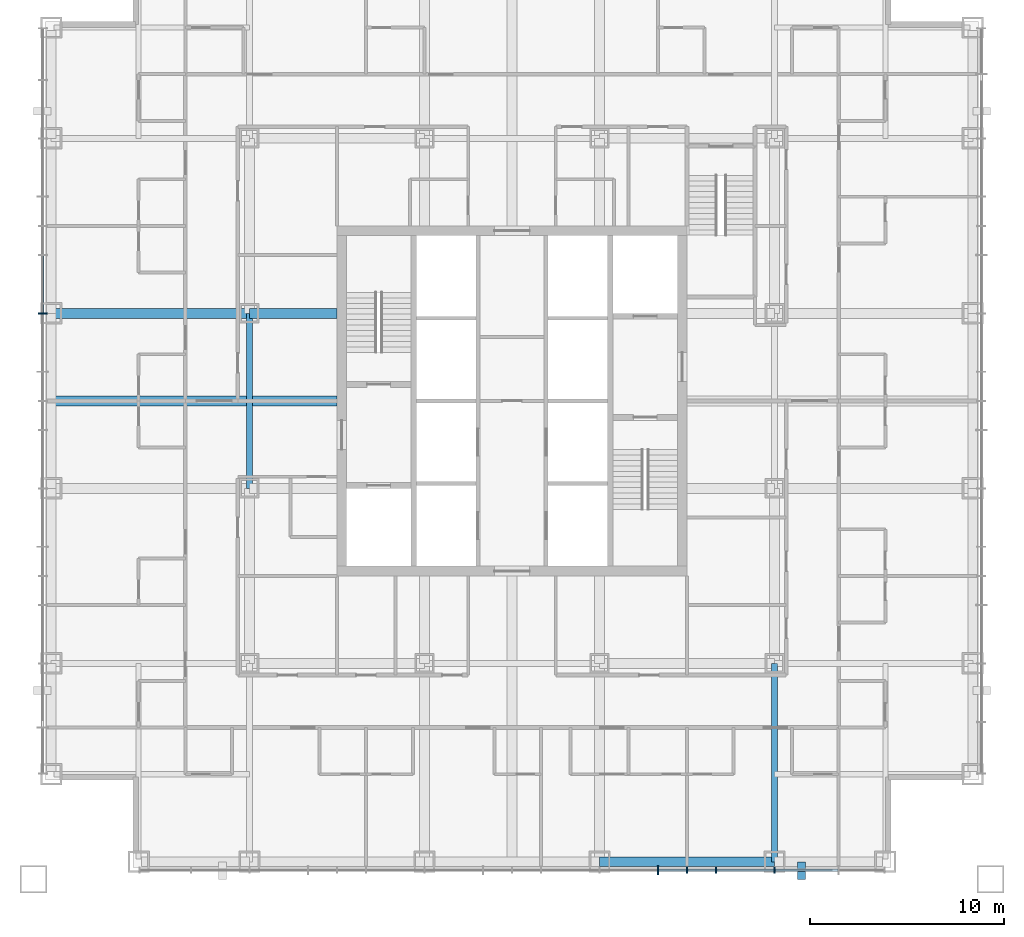
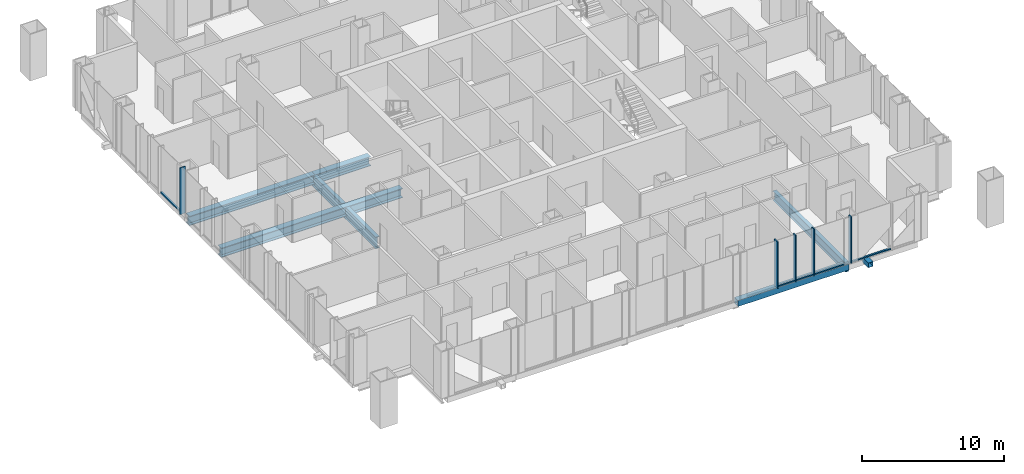
# One storey, part 3 of 18: 11 members, 6 beams, 2 elements without a shape of their own.
"""IFC4 building model written with IfcOpenShell, lengths in metres."""

from ifc_helpers import new_model, si_unit, direction, frame, origin, origin_2d, place, context, subcontext, project, spatial, rectangle, hollow_rectangle, i_section, extrude, material, layer, layer_set, material_profile, profile_set, type_object, element, aggregate, save


model = new_model("IFC4")

# Units and contexts
model_context = context("Model", 3, precision=1e-05, world=origin(), true_north=direction((0.0, 1.0)))
body_context = subcontext(model_context, "Body", "Model", "MODEL_VIEW")
ifc_project = project(units=[si_unit("LENGTHUNIT", "METRE"), si_unit("AREAUNIT", "SQUARE_METRE"), si_unit("VOLUMEUNIT", "CUBIC_METRE"), si_unit("PLANEANGLEUNIT", "RADIAN"), si_unit("MASSUNIT", "GRAM", prefix="KILO")], contexts=[model_context])

# Site, building, storey
site_placement = place(None, origin())
site = spatial("IfcSite", under=ifc_project, at=site_placement, CompositionType="ELEMENT")
building_placement = place(site_placement, origin())
building = spatial("IfcBuilding", under=site, at=building_placement, Name="Malebo Sky Hospital", CompositionType="ELEMENT")
storey_placement = place(building_placement, frame((0.0, 0.0, 132.0)))
storey = spatial("IfcBuildingStorey", under=building, at=storey_placement, Name="L31", CompositionType="ELEMENT", Elevation=132.0)

# Curtain wall, member
ifc_material_1 = material(Name="Anodised aluminium, natural silver", Category="aluminium")
ifc_layer_1 = layer(ifc_material_1, 0.25)
ifc_layer_set_1 = layer_set([ifc_layer_1], Name="WARD CURTAIN WALL EAST AND WEST")
curtain_wall_type_1 = type_object("IfcCurtainWallType", Name="WARD CURTAIN WALL EAST AND WEST", PredefinedType="NOTDEFINED", material=ifc_layer_set_1)
curtain_wall_1_placement = place(storey_placement, origin())
curtain_wall_1 = element("IfcCurtainWall", 1, at=curtain_wall_1_placement, inside=storey, type_object=curtain_wall_type_1, Name="EW curtain wall W", PredefinedType="NOTDEFINED")
ifc_material_profile_1 = material_profile(ifc_material_1, rectangle(XDim=0.14990234375, YDim=0.10009765625, at=origin_2d()), Name="ALUMINIUM TRANSOM 150x100")
ifc_profile_set_1 = profile_set([ifc_material_profile_1], Name="Anodised aluminium, natural silver")
member_type_1 = type_object("IfcMemberType", Name="ALUMINIUM TRANSOM 150x100", PredefinedType="USERDEFINED", material=ifc_profile_set_1)
member_1_placement = place(storey_placement, frame((35.864990234375, 66.53759765625, 0.050048828125), z_axis=(0.0, 1.0, 0.0), x_axis=(-1.0, 0.0, 0.0)))
member_1 = element("IfcMember", 2, at=member_1_placement, type_object=member_type_1, Name="Transom 11", ObjectType="TRANSOM", PredefinedType="USERDEFINED", context=body_context, shape_type="SweptSolid", body=[
    extrude(rectangle(XDim=0.14990234375, YDim=0.10009765625, at=origin_2d()), origin(), (0.0, 0.0, 1.0), 2.9248046875),
])

# Curtain wall, members
ifc_layer_2 = layer(ifc_material_1, 0.25)
ifc_layer_set_2 = layer_set([ifc_layer_2], Name="WARD CURTAIN WALL NORTH AND SOUTH")
curtain_wall_type_2 = type_object("IfcCurtainWallType", Name="WARD CURTAIN WALL NORTH AND SOUTH", PredefinedType="NOTDEFINED", material=ifc_layer_set_2)
curtain_wall_2_placement = place(storey_placement, origin())
curtain_wall_2 = element("IfcCurtainWall", 3, at=curtain_wall_2_placement, inside=storey, type_object=curtain_wall_type_2, Name="NS curtain wall S", PredefinedType="NOTDEFINED")
member_2_placement = place(storey_placement, frame((76.762451171875, 37.864990234375, 0.050048828125), z_axis=(-1.0, 0.0, 0.0), x_axis=(0.0, -1.0, 0.0)))
member_2 = element("IfcMember", 4, at=member_2_placement, type_object=member_type_1, Name="Transom 2", ObjectType="TRANSOM", PredefinedType="USERDEFINED", context=body_context, shape_type="SweptSolid", body=[
    extrude(rectangle(XDim=0.14990234375, YDim=0.10009765625, at=origin_2d()), origin(), (0.0, 0.0, 1.0), 3.224853515625),
])
member_3_placement = place(storey_placement, frame((73.46240234375, 37.864990234375, 0.050048828125), z_axis=(-1.0, 0.0, 0.0), x_axis=(0.0, -1.0, 0.0)))
member_3 = element("IfcMember", 5, at=member_3_placement, type_object=member_type_1, Name="Transom 3", ObjectType="TRANSOM", PredefinedType="USERDEFINED", context=body_context, shape_type="SweptSolid", body=[
    extrude(rectangle(XDim=0.14990234375, YDim=0.10009765625, at=origin_2d()), origin(), (0.0, 0.0, 1.0), 2.9248046875),
])
member_4_placement = place(storey_placement, frame((70.46240234375, 37.864990234375, 0.050048828125), z_axis=(-1.0, 0.0, 0.0), x_axis=(0.0, -1.0, 0.0)))
member_4 = element("IfcMember", 6, at=member_4_placement, type_object=member_type_1, Name="Transom 4", ObjectType="TRANSOM", PredefinedType="USERDEFINED", context=body_context, shape_type="SweptSolid", body=[
    extrude(rectangle(XDim=0.14990234375, YDim=0.10009765625, at=origin_2d()), origin(), (0.0, 0.0, 1.0), 1.4248046875),
])
member_5_placement = place(storey_placement, frame((68.96240234375, 37.864990234375, 0.050048828125), z_axis=(-1.0, 0.0, 0.0), x_axis=(0.0, -1.0, 0.0)))
member_5 = element("IfcMember", 7, at=member_5_placement, type_object=member_type_1, Name="Transom 5", ObjectType="TRANSOM", PredefinedType="USERDEFINED", context=body_context, shape_type="SweptSolid", body=[
    extrude(rectangle(XDim=0.14990234375, YDim=0.10009765625, at=origin_2d()), origin(), (0.0, 0.0, 1.0), 1.4248046875),
])

# Member
ifc_material_2 = material(Name="Steel S355", Category="steel")
ifc_material_profile_2 = material_profile(ifc_material_2, hollow_rectangle(XDim=0.39990234375, YDim=0.39990234375, WallThickness=0.02001953125, at=origin_2d()), Name="SHS 400x20")
ifc_profile_set_2 = profile_set([ifc_material_profile_2], Name="Steel S355")
member_type_2 = type_object("IfcMemberType", Name="BRACE STRUT SHS 400x20", PredefinedType="STRUT", material=ifc_profile_set_2)
member_6_placement = place(storey_placement, frame((74.8935546875, 37.39990234375, -0.39990234375), z_axis=(0.0, 1.0, 0.0), x_axis=(-1.0, 0.0, 0.0)))
element("IfcMember", 8, at=member_6_placement, inside=storey, type_object=member_type_2, Name="Brace strut BS1 L31", PredefinedType="STRUT", context=body_context, shape_type="SweptSolid", body=[
    extrude(hollow_rectangle(XDim=0.39990234375, YDim=0.39990234375, WallThickness=0.02001953125, at=origin_2d()), origin(), (0.0, 0.0, 1.0), 0.900146484375),
])

ifc_material_profile_3 = material_profile(ifc_material_1, rectangle(XDim=0.074951171875, YDim=0.300048828125, at=origin_2d()), Name="CW1 ALUMINIUM FIN MULLION 75x300")
ifc_profile_set_3 = profile_set([ifc_material_profile_3], Name="Anodised aluminium, natural silver")
member_type_3 = type_object("IfcMemberType", Name="CW1 ALUMINIUM FIN MULLION 75x300", PredefinedType="MULLION", material=ifc_profile_set_3)
member_7_placement = place(storey_placement, frame((73.5, 37.864990234375, 0.0), z_axis=(0.0, 0.0, 1.0), x_axis=(-1.0, 0.0, 0.0)))
member_7 = element("IfcMember", 9, at=member_7_placement, type_object=member_type_3, Name="Fin mullion 3", PredefinedType="MULLION", context=body_context, shape_type="SweptSolid", body=[
    extrude(rectangle(XDim=0.074951171875, YDim=0.300048828125, at=origin_2d()), origin(), (0.0, 0.0, 1.0), 4.0),
])

member_8_placement = place(storey_placement, frame((70.5, 37.864990234375, 0.0), z_axis=(0.0, 0.0, 1.0), x_axis=(-1.0, 0.0, 0.0)))
member_8 = element("IfcMember", 10, at=member_8_placement, type_object=member_type_3, Name="Fin mullion 4", PredefinedType="MULLION", context=body_context, shape_type="SweptSolid", body=[
    extrude(rectangle(XDim=0.074951171875, YDim=0.300048828125, at=origin_2d()), origin(), (0.0, 0.0, 1.0), 4.0),
])

member_9_placement = place(storey_placement, frame((69.0, 37.864990234375, 0.0), z_axis=(0.0, 0.0, 1.0), x_axis=(-1.0, 0.0, 0.0)))
member_9 = element("IfcMember", 11, at=member_9_placement, type_object=member_type_3, Name="Fin mullion 5", PredefinedType="MULLION", context=body_context, shape_type="SweptSolid", body=[
    extrude(rectangle(XDim=0.074951171875, YDim=0.300048828125, at=origin_2d()), origin(), (0.0, 0.0, 1.0), 4.0),
])

ifc_material_profile_4 = material_profile(ifc_material_1, rectangle(XDim=0.074951171875, YDim=0.449951171875, at=origin_2d()), Name="CW1 ALUMINIUM FIN MULLION 75x450")
ifc_profile_set_4 = profile_set([ifc_material_profile_4], Name="Anodised aluminium, natural silver")
member_type_4 = type_object("IfcMemberType", Name="CW1 ALUMINIUM FIN MULLION 75x450", PredefinedType="MULLION", material=ifc_profile_set_4)
member_10_placement = place(storey_placement, frame((67.5, 37.864990234375, 0.0), z_axis=(0.0, 0.0, 1.0), x_axis=(-1.0, 0.0, 0.0)))
member_10 = element("IfcMember", 12, at=member_10_placement, type_object=member_type_4, Name="Fin mullion 6", PredefinedType="MULLION", context=body_context, shape_type="SweptSolid", body=[
    extrude(rectangle(XDim=0.074951171875, YDim=0.449951171875, at=origin_2d()), origin(), (0.0, 0.0, 1.0), 4.0),
])

aggregate(curtain_wall_2, [member_7, member_8, member_9, member_10, member_2, member_3, member_4, member_5])

ifc_material_profile_5 = material_profile(ifc_material_1, rectangle(XDim=0.074951171875, YDim=0.449951171875, at=origin_2d()), Name="CW2 ALUMINIUM FIN MULLION 75x450")
ifc_profile_set_5 = profile_set([ifc_material_profile_5], Name="Anodised aluminium, natural silver")
member_type_5 = type_object("IfcMemberType", Name="CW2 ALUMINIUM FIN MULLION 75x450", PredefinedType="MULLION", material=ifc_profile_set_5)
member_11_placement = place(storey_placement, frame((35.864990234375, 66.5, 0.0), z_axis=(0.0, 0.0, 1.0), x_axis=(0.0, 1.0, 0.0)))
member_11 = element("IfcMember", 13, at=member_11_placement, type_object=member_type_5, Name="Fin mullion 11", PredefinedType="MULLION", context=body_context, shape_type="SweptSolid", body=[
    extrude(rectangle(XDim=0.074951171875, YDim=0.449951171875, at=origin_2d()), origin(), (0.0, 0.0, 1.0), 4.0),
])

aggregate(curtain_wall_1, [member_11, member_1])

# Beams
ifc_material_3 = material(Name="Steel S460", Category="steel")
ifc_material_profile_6 = material_profile(ifc_material_3, hollow_rectangle(XDim=0.5, YDim=0.5, WallThickness=0.030029296875, at=origin_2d()), Name="BOX 500x500x30")
ifc_profile_set_6 = profile_set([ifc_material_profile_6], Name="Steel S460")
beam_type_1 = type_object("IfcBeamType", Name="EDGE BEAM BOX 500x500x30", PredefinedType="BEAM", material=ifc_profile_set_6)
beam_1_placement = place(storey_placement, frame((64.5, 38.300048828125, -0.5), z_axis=(1.0, 0.0, 0.0), x_axis=(0.0, 1.0, 0.0)))
element("IfcBeam", 14, at=beam_1_placement, inside=storey, type_object=beam_type_1, Name="Beam 037 L31", PredefinedType="BEAM", context=body_context, shape_type="SweptSolid", body=[
    extrude(hollow_rectangle(XDim=0.5, YDim=0.5, WallThickness=0.030029296875, at=origin_2d()), origin(), (0.0, 0.0, 1.0), 9.0),
])
ifc_material_profile_7 = material_profile(ifc_material_2, i_section(OverallWidth=0.5, OverallDepth=0.800048828125, WebThickness=0.030029296875, FlangeThickness=0.050048828125, at=origin_2d()), Name="PG 800x500x30x50")
ifc_profile_set_7 = profile_set([ifc_material_profile_7], Name="Steel S355")
beam_type_2 = type_object("IfcBeamType", Name="FLOOR BEAM PG 800x500x30x50", PredefinedType="BEAM", material=ifc_profile_set_7)
beam_2_placement = place(storey_placement, frame((36.300048828125, 62.0, -0.64990234375), z_axis=(1.0, 0.0, 0.0), x_axis=(0.0, 1.0, 0.0)))
element("IfcBeam", 15, at=beam_2_placement, inside=storey, type_object=beam_type_2, Name="Beam 050 L31", PredefinedType="BEAM", context=body_context, shape_type="SweptSolid", body=[
    extrude(i_section(OverallWidth=0.5, OverallDepth=0.800048828125, WebThickness=0.030029296875, FlangeThickness=0.050048828125, at=origin_2d()), origin(), (0.0, 0.0, 1.0), 14.699951171875),
])
beam_3_placement = place(storey_placement, frame((36.300048828125, 66.5, -0.64990234375), z_axis=(1.0, 0.0, 0.0), x_axis=(0.0, 1.0, 0.0)))
element("IfcBeam", 16, at=beam_3_placement, inside=storey, type_object=beam_type_2, Name="Beam 052 L31", PredefinedType="BEAM", context=body_context, shape_type="SweptSolid", body=[
    extrude(i_section(OverallWidth=0.5, OverallDepth=0.800048828125, WebThickness=0.030029296875, FlangeThickness=0.050048828125, at=origin_2d()), origin(), (0.0, 0.0, 1.0), 10.199951171875),
])
beam_4_placement = place(storey_placement, frame((46.5, 66.5, -0.64990234375), z_axis=(1.0, 0.0, 0.0), x_axis=(0.0, 1.0, 0.0)))
element("IfcBeam", 17, at=beam_4_placement, inside=storey, type_object=beam_type_2, Name="Beam 053 L31", PredefinedType="BEAM", context=body_context, shape_type="SweptSolid", body=[
    extrude(i_section(OverallWidth=0.5, OverallDepth=0.800048828125, WebThickness=0.030029296875, FlangeThickness=0.050048828125, at=origin_2d()), origin(), (0.0, 0.0, 1.0), 4.5),
])
ifc_material_profile_8 = material_profile(ifc_material_2, i_section(OverallWidth=0.300048828125, OverallDepth=0.800048828125, WebThickness=0.017578125, FlangeThickness=0.032958984375, FilletRadius=0.030029296875, at=origin_2d()), Name="HEB 800")
ifc_profile_set_8 = profile_set([ifc_material_profile_8], Name="Steel S355")
beam_type_3 = type_object("IfcBeamType", Name="FLOOR GIRDER HEB 800", PredefinedType="BEAM", material=ifc_profile_set_8)
beam_5_placement = place(storey_placement, frame((73.5, 38.300048828125, -0.64990234375), z_axis=(0.0, 1.0, 0.0), x_axis=(-1.0, 0.0, 0.0)))
element("IfcBeam", 18, at=beam_5_placement, inside=storey, type_object=beam_type_3, Name="Beam 022 L31", PredefinedType="BEAM", context=body_context, shape_type="SweptSolid", body=[
    extrude(i_section(OverallWidth=0.300048828125, OverallDepth=0.800048828125, WebThickness=0.017578125, FlangeThickness=0.032958984375, FilletRadius=0.030029296875, at=origin_2d()), origin(), (0.0, 0.0, 1.0), 10.199951171875),
])
ifc_material_profile_9 = material_profile(ifc_material_2, i_section(OverallWidth=0.300048828125, OverallDepth=1.0, WebThickness=0.01904296875, FlangeThickness=0.035888671875, FilletRadius=0.030029296875, at=origin_2d()), Name="HEB 1000")
ifc_profile_set_9 = profile_set([ifc_material_profile_9], Name="Steel S355")
beam_type_4 = type_object("IfcBeamType", Name="RING GIRDER HEB 1000", PredefinedType="BEAM", material=ifc_profile_set_9)
beam_6_placement = place(storey_placement, frame((46.5, 57.5, -0.75), z_axis=(0.0, 1.0, 0.0), x_axis=(-1.0, 0.0, 0.0)))
element("IfcBeam", 19, at=beam_6_placement, inside=storey, type_object=beam_type_4, Name="Beam 009 L31", PredefinedType="BEAM", context=body_context, shape_type="SweptSolid", body=[
    extrude(i_section(OverallWidth=0.300048828125, OverallDepth=1.0, WebThickness=0.01904296875, FlangeThickness=0.035888671875, FilletRadius=0.030029296875, at=origin_2d()), origin(), (0.0, 0.0, 1.0), 9.0),
])

save(model, "model.ifc")
